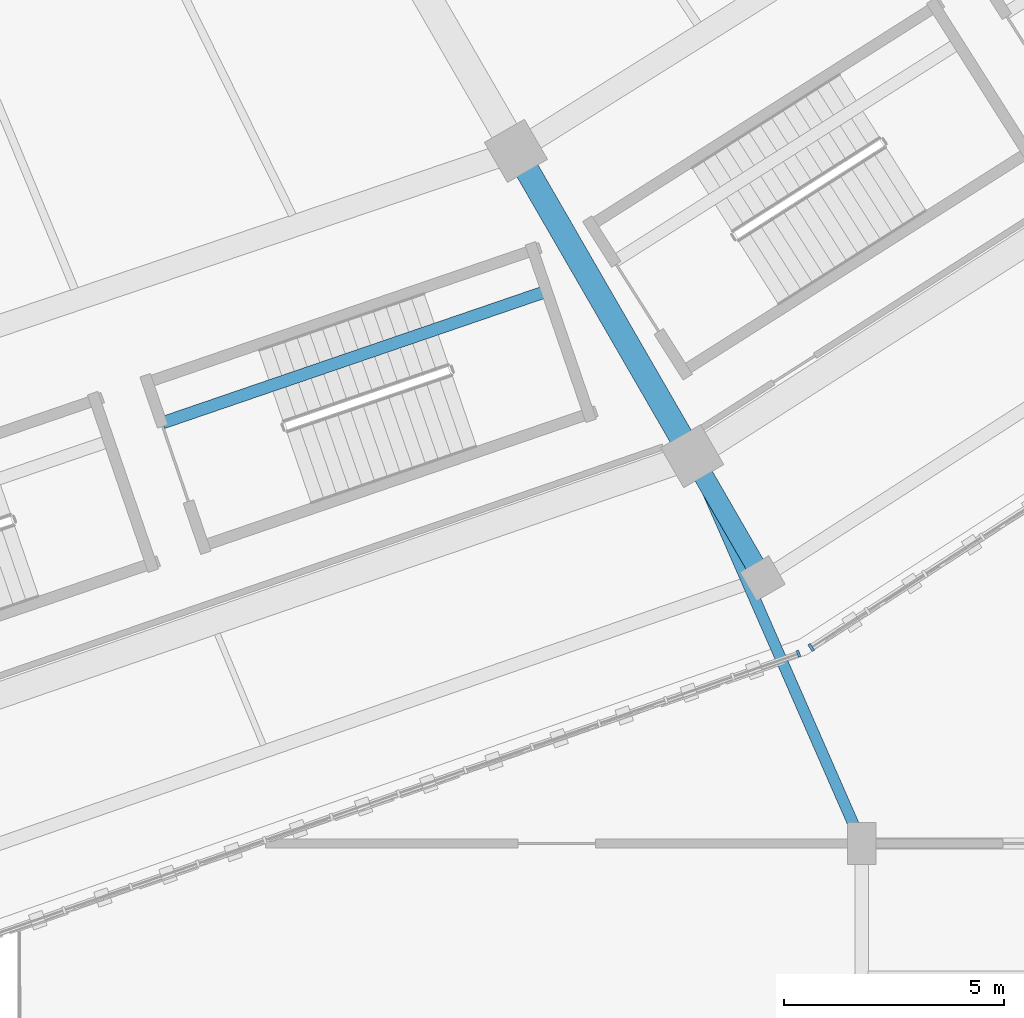
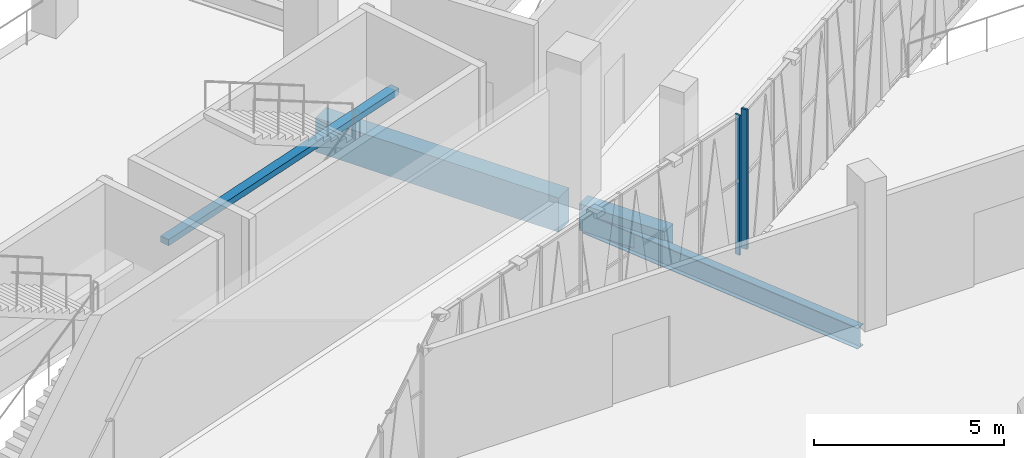
# One storey, part 29 of 179: 4 beams, 2 members, 2 elements without a shape of their own.
"""IFC4 building model written with IfcOpenShell, lengths in metres."""

from ifc_helpers import new_model, si_unit, direction, frame, origin, origin_2d, place, context, subcontext, project, spatial, rectangle, i_section, extrude, material, material_profile, profile_set, type_object, element, aggregate, save


model = new_model("IFC4")

# Units and contexts
model_context = context("Model", 3, precision=1e-05, world=origin(), true_north=direction((0.0, 1.0)))
body_context = subcontext(model_context, "Body", "Model", "MODEL_VIEW")
ifc_project = project(units=[si_unit("LENGTHUNIT", "METRE"), si_unit("AREAUNIT", "SQUARE_METRE"), si_unit("VOLUMEUNIT", "CUBIC_METRE"), si_unit("PLANEANGLEUNIT", "RADIAN"), si_unit("MASSUNIT", "GRAM", prefix="KILO")], contexts=[model_context])

# Site, building, storey
site_placement = place(None, origin())
site = spatial("IfcSite", under=ifc_project, at=site_placement, CompositionType="ELEMENT")
building_placement = place(site_placement, origin())
building = spatial("IfcBuilding", under=site, at=building_placement, Name="Zevraka Park Crest Stadium", CompositionType="ELEMENT")
storey_placement = place(building_placement, frame((0.0, 0.0, 10.199951171875)))
storey = spatial("IfcBuildingStorey", under=building, at=storey_placement, Name="L02", CompositionType="ELEMENT", Elevation=10.199951171875)

# Beams
ifc_material_1 = material(Name="Concrete C40/50", Category="concrete")
ifc_material_profile_1 = material_profile(ifc_material_1, rectangle(XDim=0.550048828125, YDim=1.10009765625, at=origin_2d()), Name="RC 1100x550")
ifc_profile_set_1 = profile_set([ifc_material_profile_1], Name="Concrete C40/50")
beam_type_1 = type_object("IfcBeamType", Name="BG02", PredefinedType="BEAM", material=ifc_profile_set_1)
beam_1_placement = place(storey_placement, frame((153.300048828125, 33.4560546875, -0.56005859375), z_axis=(0.500031859608, -0.86600700885, 0.0), x_axis=(0.86600700885, 0.500031859608, 0.0)))
element("IfcBeam", 1, at=beam_1_placement, inside=storey, type_object=beam_type_1, Name="Radial Girder BG02 L02-CD-20", PredefinedType="BEAM", context=body_context, shape_type="SweptSolid", body=[
    extrude(rectangle(XDim=0.550048828125, YDim=1.10009765625, at=origin_2d()), origin(), (0.0, 0.0, 1.0), 7.3994140625),
])
ifc_material_2 = material(Name="Concrete C40/50", Category="concrete")
ifc_material_profile_2 = material_profile(ifc_material_2, rectangle(XDim=0.449951171875, YDim=0.85009765625, at=origin_2d()), Name="RC 850x450")
ifc_profile_set_2 = profile_set([ifc_material_profile_2], Name="Concrete C40/50")
beam_type_2 = type_object("IfcBeamType", Name="BG03", PredefinedType="BEAM", material=ifc_profile_set_2)
beam_2_placement = place(storey_placement, frame((157.300048828125, 26.528076171875, -0.43505859375), z_axis=(0.500128937424, -0.865950948929, 0.0), x_axis=(0.865950948929, 0.500128937424, 0.0)))
element("IfcBeam", 2, at=beam_2_placement, inside=storey, type_object=beam_type_2, Name="Radial Girder BG03 L02-DE-20", PredefinedType="BEAM", context=body_context, shape_type="SweptSolid", body=[
    extrude(rectangle(XDim=0.449951171875, YDim=0.85009765625, at=origin_2d()), origin(), (0.0, 0.0, 1.0), 2.599365234375),
])
ifc_material_3 = material(Name="Steel S355", Category="steel")
ifc_material_profile_3 = material_profile(ifc_material_3, i_section(OverallWidth=0.253662109375, OverallDepth=0.68359375, WebThickness=0.012451171875, FlangeThickness=0.01904296875, at=origin_2d()), Name="UKB 686x254x140")
ifc_profile_set_3 = profile_set([ifc_material_profile_3], Name="Steel S355")
beam_type_3 = type_object("IfcBeamType", Name="BG05", PredefinedType="BEAM", material=ifc_profile_set_3)
beam_3_placement = place(storey_placement, frame((160.919921875, 18.18310546875, -0.629638671875), z_axis=(-0.401335913167, 0.915930938883, 0.0), x_axis=(-0.915930938883, -0.401335913167, 0.0)))
element("IfcBeam", 3, at=beam_3_placement, inside=storey, type_object=beam_type_3, Name="Wing Link Girder BG05 L02-18/C", PredefinedType="BEAM", context=body_context, shape_type="SweptSolid", body=[
    extrude(i_section(OverallWidth=0.253662109375, OverallDepth=0.68359375, WebThickness=0.012451171875, FlangeThickness=0.01904296875, at=origin_2d()), origin(), (0.0, 0.0, 1.0), 9.0146484375),
])

# Curtain wall, member
ifc_material_4 = material(Name="Anodised architectural aluminium and laminated safety glass", Category="aluminium")
curtain_wall_type_1 = type_object("IfcCurtainWallType", Name="CW07", PredefinedType="NOTDEFINED", material=ifc_material_4)
curtain_wall_1_placement = place(storey_placement, origin())
curtain_wall_1 = element("IfcCurtainWall", 4, at=curtain_wall_1_placement, inside=storey, type_object=curtain_wall_type_1, Name="Unitised Ring Curtain Wall CW07 L02-19", PredefinedType="NOTDEFINED")
ifc_material_5 = material(Name="Anodised architectural aluminium", Category="aluminium")
ifc_material_profile_4 = material_profile(ifc_material_5, rectangle(XDim=0.159912109375, YDim=0.06005859375, at=origin_2d()), Name="ALU MULLION 160x60")
ifc_profile_set_4 = profile_set([ifc_material_profile_4], Name="Anodised architectural aluminium")
member_type_1 = type_object("IfcMemberType", Name="CM01", PredefinedType="MULLION", material=ifc_profile_set_4)
member_1_placement = place(storey_placement, frame((159.562744140625, 22.30419921875, 0.0), z_axis=(0.0, 0.0, 1.0), x_axis=(-0.329618886002, 0.944114076789, 0.0)))
member_1 = element("IfcMember", 5, at=member_1_placement, type_object=member_type_1, Name="CW07 mullion 16", PredefinedType="MULLION", context=body_context, shape_type="SweptSolid", body=[
    extrude(rectangle(XDim=0.159912109375, YDim=0.06005859375, at=origin_2d()), origin(), (0.0, 0.0, 1.0), 4.5),
])
aggregate(curtain_wall_1, [member_1])

ifc_material_6 = material(Name="Anodised architectural aluminium and laminated safety glass", Category="aluminium")
curtain_wall_type_2 = type_object("IfcCurtainWallType", Name="CW08", PredefinedType="NOTDEFINED", material=ifc_material_6)
curtain_wall_2_placement = place(storey_placement, origin())
curtain_wall_2 = element("IfcCurtainWall", 6, at=curtain_wall_2_placement, inside=storey, type_object=curtain_wall_type_2, Name="Unitised Ring Curtain Wall CW08 L02-20", PredefinedType="NOTDEFINED")
ifc_material_7 = material(Name="Anodised architectural aluminium", Category="aluminium")
ifc_material_profile_5 = material_profile(ifc_material_7, rectangle(XDim=0.179931640625, YDim=0.06494140625, at=origin_2d()), Name="ALU MULLION 180x65")
ifc_profile_set_5 = profile_set([ifc_material_profile_5], Name="Anodised architectural aluminium")
member_type_2 = type_object("IfcMemberType", Name="CM02", PredefinedType="MULLION", material=ifc_profile_set_5)
member_2_placement = place(storey_placement, frame((159.851318359375, 22.445556640625, 0.0), z_axis=(0.0, 0.0, 1.0), x_axis=(-0.543096287444, 0.839670424967, 0.0)))
member_2 = element("IfcMember", 7, at=member_2_placement, type_object=member_type_2, Name="CW08 mullion 1", PredefinedType="MULLION", context=body_context, shape_type="SweptSolid", body=[
    extrude(rectangle(XDim=0.179931640625, YDim=0.06494140625, at=origin_2d()), origin(), (0.0, 0.0, 1.0), 4.5),
])
aggregate(curtain_wall_2, [member_2])

# Beam
ifc_material_8 = material(Name="Concrete C40/50", Category="concrete")
ifc_material_profile_6 = material_profile(ifc_material_8, rectangle(XDim=0.280029296875, YDim=0.199951171875, at=origin_2d()), Name="RC 200x280")
ifc_profile_set_6 = profile_set([ifc_material_profile_6], Name="Concrete C40/50")
beam_type_4 = type_object("IfcBeamType", Name="SJ13", PredefinedType="JOIST", material=ifc_profile_set_6)
beam_4_placement = place(storey_placement, frame((145.130859375, 27.54541015625, 2.300048828125), z_axis=(0.946070346954, 0.323961260978, 0.0), x_axis=(-0.323961260978, 0.946070346954, 0.0)))
element("IfcBeam", 8, at=beam_4_placement, inside=storey, type_object=beam_type_4, Name="Stair Upper-Flight Longitudinal Stringer SJ13 ST31-L02", PredefinedType="JOIST", context=body_context, shape_type="SweptSolid", body=[
    extrude(rectangle(XDim=0.280029296875, YDim=0.199951171875, at=origin_2d()), origin(), (0.0, 0.0, 1.0), 9.249755859375),
])

save(model, "model.ifc")
